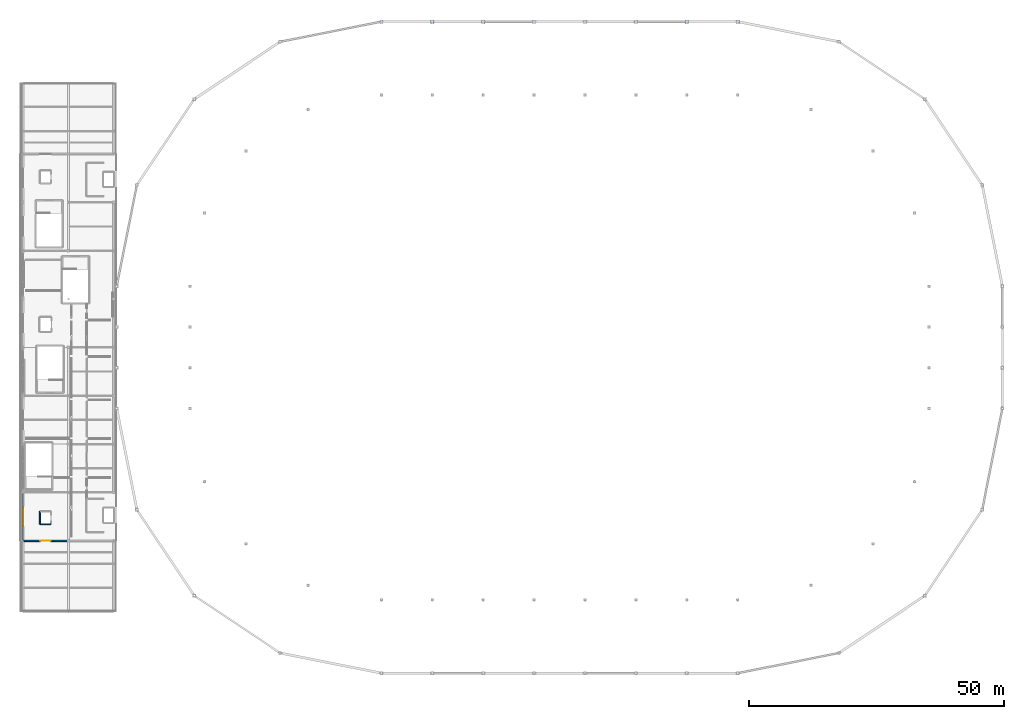
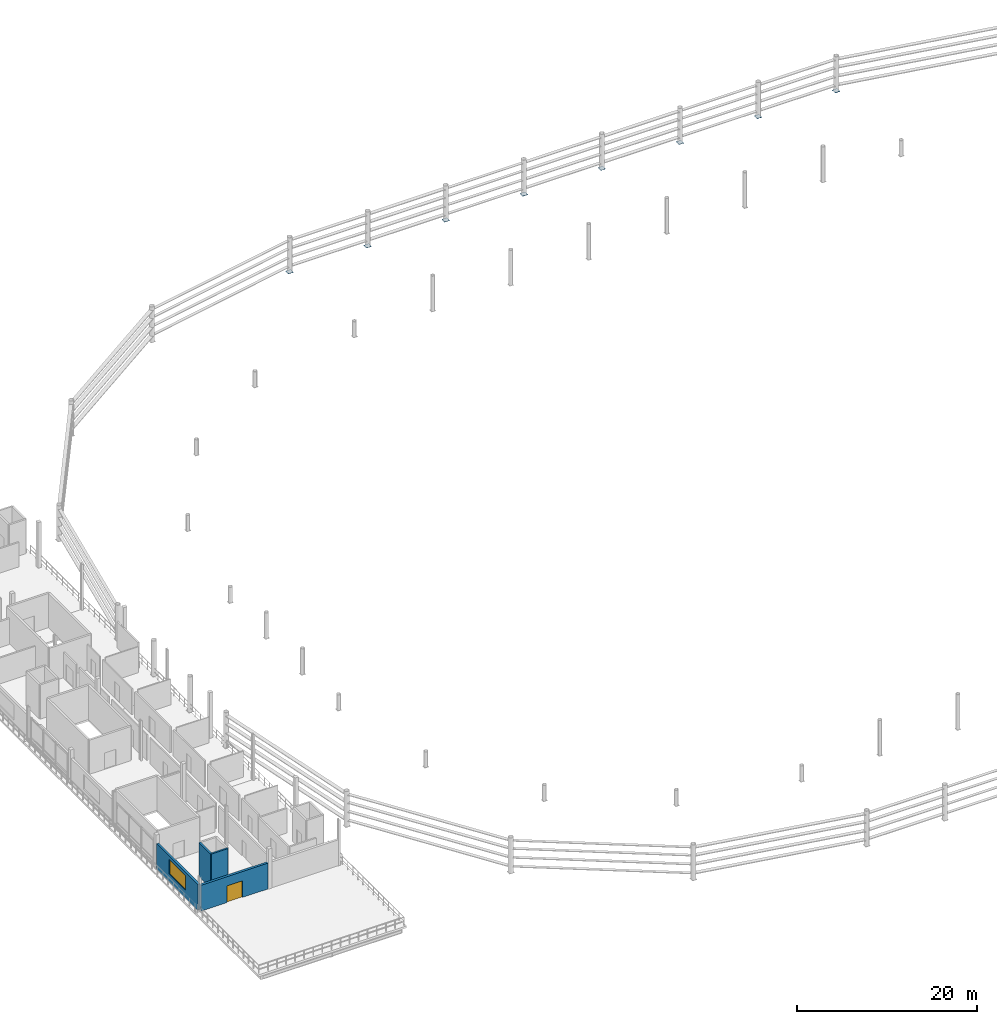
# One storey, part 23 of 29: 8 plates, 4 walls, 1 door, 1 window, 2 openings.
"""IFC4 building model written with IfcOpenShell, lengths in metres."""

from ifc_helpers import new_model, si_unit, direction, frame, frame_2d, origin, origin_2d, place, context, subcontext, project, spatial, rectangle, extrude, material, layer, layer_set, type_object, element, fill, save


model = new_model("IFC4")

# Units and contexts
model_context = context("Model", 3, precision=1e-05, world=origin(), true_north=direction((0.0, 1.0)))
body_context = subcontext(model_context, "Body", "Model", "MODEL_VIEW")
ifc_project = project(units=[si_unit("LENGTHUNIT", "METRE"), si_unit("AREAUNIT", "SQUARE_METRE"), si_unit("VOLUMEUNIT", "CUBIC_METRE"), si_unit("PLANEANGLEUNIT", "RADIAN"), si_unit("MASSUNIT", "GRAM", prefix="KILO")], contexts=[model_context])

# Site, building, storey
site_placement = place(None, origin())
site = spatial("IfcSite", under=ifc_project, at=site_placement, CompositionType="ELEMENT")
building_placement = place(site_placement, origin())
building = spatial("IfcBuilding", under=site, at=building_placement, Name="Candeia Ridge Stadium", CompositionType="ELEMENT")
storey_placement = place(building_placement, frame((0.0, 0.0, 27.0)))
storey = spatial("IfcBuildingStorey", under=building, at=storey_placement, Name="L05", CompositionType="ELEMENT", Elevation=27.0)

# Plates
ifc_material_1 = material(Name="Steel ASTM A572 Grade 50", Category="steel")
ifc_layer_1 = layer(ifc_material_1, 0.02490234375, Name="Steel ASTM A572 Grade 50", Category="steel")
ifc_layer_set_1 = layer_set([ifc_layer_1], Name="Steel ASTM A572 Grade 50")
plate_type = type_object("IfcPlateType", Name="Hollow Section End Closure Plate CP1", PredefinedType="SHEET", material=ifc_layer_set_1)
for number, where, z_axis, x_axis, name in (
    (1, (141.0, 147.0, -0.012451171875), (0.0, 0.0, 1.0), (1.0, 0.0, 0.0), "Hollow section end closure plate MCAP-B-BC-OU-00"),
    (2, (131.0, 147.0, -0.012451171875), (0.0, 0.0, 1.0), (1.0, 0.0, 0.0), "Hollow section end closure plate MCAP-B-BC-OU-01"),
    (3, (121.0, 147.0, -0.012451171875), (0.0, 0.0, 1.0), (1.0, 0.0, 0.0), "Hollow section end closure plate MCAP-B-BC-OU-02"),
    (4, (111.0, 147.0, -0.012451171875), (0.0, 0.0, 1.0), (1.0, 0.0, 0.0), "Hollow section end closure plate MCAP-B-BC-OU-03"),
    (5, (101.0, 147.0, -0.012451171875), (0.0, 0.0, 1.0), (1.0, 0.0, 0.0), "Hollow section end closure plate MCAP-B-BC-OU-04"),
    (6, (91.0, 147.0, -0.012451171875), (0.0, 0.0, 1.0), (1.0, 0.0, 0.0), "Hollow section end closure plate MCAP-B-BC-OU-05"),
    (7, (81.0, 147.0, -0.012451171875), (0.0, 0.0, 1.0), (1.0, 0.0, 0.0), "Hollow section end closure plate MCAP-B-BC-OU-06"),
    (8, (71.0, 147.0, -0.012451171875), (0.0, 0.0, 1.0), (1.0, 0.0, 0.0), "Hollow section end closure plate MCAP-B-BC-OU-07"),
):
    element("IfcPlate", number, at=place(storey_placement, frame(where, z_axis=z_axis, x_axis=x_axis)), inside=storey, type_object=plate_type, Name=name, PredefinedType="SHEET", context=body_context, shape_type="SweptSolid", body=[
        extrude(rectangle(XDim=0.639892578125, YDim=0.639892578125, at=origin_2d()), origin(), (0.0, 0.0, 1.0), 0.02490234375),
    ])

# Wall, opening, window
ifc_material_2 = material(Name="Concrete C35/45", Category="concrete")
ifc_layer_2 = layer(ifc_material_2, 0.27490234375, Name="Concrete C35/45", Category="concrete")
ifc_layer_set_2 = layer_set([ifc_layer_2], Name="Concrete C35/45")
wall_type_1 = type_object("IfcWallType", Name="Exterior Gondola Insulated Wall 275", PredefinedType="STANDARD", material=ifc_layer_set_2)
wall_1_placement = place(storey_placement, frame((0.60009765625, 45.16943359375, 0.0), z_axis=(0.0, 0.0, 1.0), x_axis=(0.0, 1.0, 0.0)))
wall_1 = element("IfcWall", 9, at=wall_1_placement, inside=storey, type_object=wall_type_1, Name="Exterior facade wall EW-L05-0110", PredefinedType="STANDARD", context=body_context, shape_type="SweptSolid", body=[
    extrude(rectangle(XDim=9.11767578125, YDim=0.27490234375, at=frame_2d((4.558837890625, 0.0))), origin(), (0.0, 0.0, 1.0), 3.5),
])
opening_1_placement = place(wall_1_placement, frame((2.7587890625, 0.0, 1.050048828125)))
opening_1 = element("IfcOpeningElement", 10, at=opening_1_placement, cuts=wall_1, Name="Opening W10", PredefinedType="OPENING", context=body_context, shape_type="SweptSolid", body=[
    extrude(rectangle(XDim=3.60009765625, YDim=2.0, at=frame_2d((1.800048828125, 1.0))), frame((0.0, 0.1474609375, 0.0), z_axis=(0.0, -1.0, 0.0), x_axis=(1.0, 0.0, 0.0)), (0.0, 0.0, 1.0), 0.294921875),
])
ifc_material_3 = material(Name="Tempered Solar-Control Double Glazing", Category="glass")
window_type = type_object("IfcWindowType", Name="Press Gondola Viewing Window 3600x2000", PartitioningType="SINGLE_PANEL", PredefinedType="WINDOW", material=ifc_material_3)
window_placement = place(opening_1_placement, origin())
window = element("IfcWindow", 11, at=window_placement, inside=storey, type_object=window_type, Name="Exterior window WIN-L05-061", OverallHeight=2.0, OverallWidth=3.60009765625, PartitioningType="SINGLE_PANEL", PredefinedType="WINDOW", context=body_context, shape_type="SweptSolid", body=[
    extrude(rectangle(XDim=3.60009765625, YDim=2.0, at=frame_2d((1.800048828125, 1.0))), frame((0.0, 0.030029296875, 0.0), z_axis=(0.0, -1.0, 0.0), x_axis=(1.0, 0.0, 0.0)), (0.0, 0.0, 1.0), 0.06005859375),
])
fill(opening_1, window)

# Wall, opening, door
ifc_layer_3 = layer(ifc_material_2, 0.300048828125, Name="Concrete C35/45", Category="concrete")
ifc_layer_set_3 = layer_set([ifc_layer_3], Name="Concrete C35/45")
wall_type_2 = type_object("IfcWallType", Name="Exterior Pavilion Rainscreen Wall 300", PredefinedType="SOLIDWALL", material=ifc_layer_set_3)
wall_2_placement = place(storey_placement, frame((0.716552734375, 45.0, 0.0), z_axis=(0.0, 0.0, 1.0), x_axis=(1.0, 0.0, 0.0)))
wall_2 = element("IfcWall", 12, at=wall_2_placement, inside=storey, type_object=wall_type_2, Name="Exterior facade wall EW-L05-0115", PredefinedType="SOLIDWALL", context=body_context, shape_type="SweptSolid", body=[
    extrude(rectangle(XDim=8.570556640625, YDim=0.300048828125, at=frame_2d((4.28515625, 0.0))), origin(), (0.0, 0.0, 1.0), 3.5),
])
opening_2_placement = place(wall_2_placement, frame((3.28515625, 0.0, 0.0)))
opening_2 = element("IfcOpeningElement", 13, at=opening_2_placement, cuts=wall_2, Name="Opening ED06", PredefinedType="OPENING", context=body_context, shape_type="SweptSolid", body=[
    extrude(rectangle(XDim=2.0, YDim=2.25, at=frame_2d((1.0, 1.125))), frame((0.0, 0.159912109375, 0.0), z_axis=(0.0, -1.0, 0.0), x_axis=(1.0, 0.0, 0.0)), (0.0, 0.0, 1.0), 0.320068359375),
])
ifc_material_4 = material(Name="Aluminium Thermal-Break Glazed Door", Category="aluminium")
door_type = type_object("IfcDoorType", Name="Terrace Lounge Double Door 2000x2250", OperationType="NOTDEFINED", PredefinedType="DOOR", material=ifc_material_4)
door_placement = place(opening_2_placement, frame((2.0, 0.0, 0.0), z_axis=(0.0, 0.0, 1.0), x_axis=(-1.0, 0.0, 0.0)))
door = element("IfcDoor", 14, at=door_placement, inside=storey, type_object=door_type, Name="Exterior entrance door ED-011", OperationType="DOUBLE_DOOR_SINGLE_SWING", OverallHeight=2.25, OverallWidth=2.0, PredefinedType="DOOR", context=body_context, shape_type="SweptSolid", body=[
    extrude(rectangle(XDim=2.0, YDim=2.25, at=frame_2d((1.0, 1.125))), frame((0.0, 0.02490234375, 0.0), z_axis=(0.0, -1.0, 0.0), x_axis=(1.0, 0.0, 0.0)), (0.0, 0.0, 1.0), 0.050048828125),
])
fill(opening_2, door)

# Walls
ifc_material_5 = material(Name="Concrete C40/50", Category="concrete")
ifc_layer_4 = layer(ifc_material_5, 0.219970703125, Name="Concrete C40/50", Category="concrete")
ifc_layer_set_4 = layer_set([ifc_layer_4], Name="Concrete C40/50")
wall_type_3 = type_object("IfcWallType", Name="Lift & Riser Shaft Wall 220", PredefinedType="SHEAR", material=ifc_layer_set_4)
wall_3_placement = place(storey_placement, frame((3.93994140625, 48.239990234375, 0.0), z_axis=(0.0, 0.0, 1.0), x_axis=(1.0, 0.0, 0.0)))
element("IfcWall", 15, at=wall_3_placement, inside=storey, type_object=wall_type_3, Name="Lift VL1 shaft wall L05 south", PredefinedType="SHEAR", context=body_context, shape_type="SweptSolid", body=[
    extrude(rectangle(XDim=2.1201171875, YDim=0.219970703125, at=frame_2d((1.06005859375, 0.0))), origin(), (0.0, 0.0, 1.0), 4.6201171875),
])
wall_4_placement = place(storey_placement, frame((3.93994140625, 50.760009765625, 0.0), z_axis=(0.0, 0.0, 1.0), x_axis=(0.0, -1.0, 0.0)))
element("IfcWall", 16, at=wall_4_placement, inside=storey, type_object=wall_type_3, Name="Lift VL1 shaft wall L05 west", PredefinedType="SHEAR", context=body_context, shape_type="SweptSolid", body=[
    extrude(rectangle(XDim=2.52001953125, YDim=0.219970703125, at=frame_2d((1.260009765625, 0.0))), origin(), (0.0, 0.0, 1.0), 4.6201171875),
])

save(model, "model.ifc")
